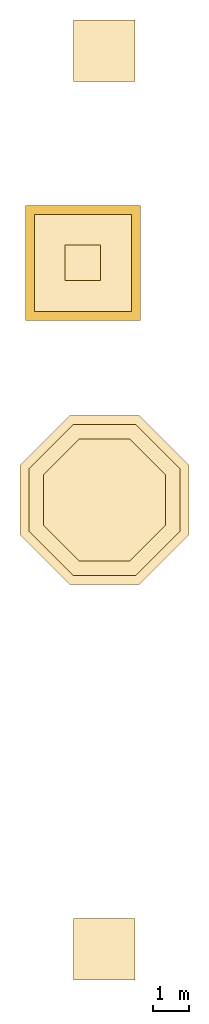
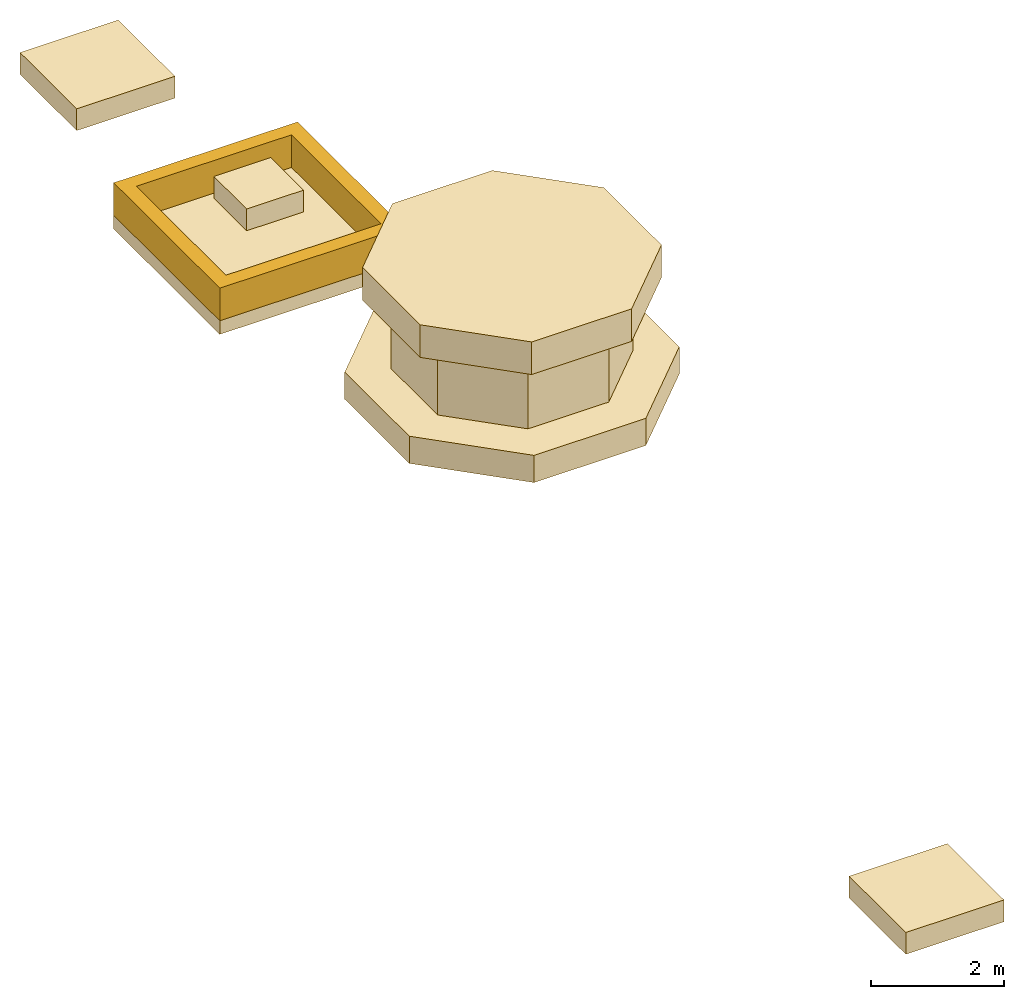
# One storey: 8 coverings.
"""IFC4 building model written with IfcOpenShell, lengths in metres."""

from ifc_helpers import new_model, si_unit, direction, frame, origin, place, context, subcontext, project, spatial, polyline, outline, extrude, material, layer, layer_set, type_object, element, save


model = new_model("IFC4")

# Units and contexts
model_context = context("Model", 3, precision=1e-05, world=origin(), true_north=direction((0.0, 1.0)))
body_context = subcontext(model_context, "Body", "Model", "MODEL_VIEW")
ifc_project = project(units=[si_unit("LENGTHUNIT", "METRE"), si_unit("AREAUNIT", "SQUARE_METRE"), si_unit("VOLUMEUNIT", "CUBIC_METRE"), si_unit("PLANEANGLEUNIT", "RADIAN"), si_unit("MASSUNIT", "GRAM", prefix="KILO")], contexts=[model_context])

# Site, building, storey
site_placement = place(None, origin())
site = spatial("IfcSite", under=ifc_project, at=site_placement, CompositionType="ELEMENT")
building_placement = place(site_placement, origin())
building = spatial("IfcBuilding", under=site, at=building_placement, Name="Kiln Ring Residences", CompositionType="ELEMENT")
storey_placement = place(building_placement, frame((0.0, 0.0, 329.5)))
storey = spatial("IfcBuildingStorey", under=building, at=storey_placement, Name="Roof", CompositionType="ELEMENT", Elevation=329.5)

# Coverings
ifc_material_1 = material(Name="Brick masonry, dark clay brick", Category="masonry")
ifc_layer_1 = layer(ifc_material_1, 0.25)
ifc_layer_set_1 = layer_set([ifc_layer_1], Name="CHHATRI PARAPET 250")
covering_type_1 = type_object("IfcCoveringType", Name="CHHATRI PARAPET 250", PredefinedType="CLADDING", material=ifc_layer_set_1)
covering_1_placement = place(storey_placement, frame((0.0, 0.0, 1.35009765625)))
element("IfcCovering", 1, at=covering_1_placement, inside=storey, type_object=covering_type_1, Name="CHHATRI PARAPET L83 Crown", PredefinedType="CLADDING", context=body_context, shape_type="SweptSolid", body=[
    extrude(outline(polyline([(-22.300048828125, 5.0), (-19.10009765625, 5.0), (-19.10009765625, 8.199951171875), (-22.300048828125, 8.199951171875), (-22.300048828125, 5.0)]), holes=[polyline([(-19.35009765625, 7.949951171875), (-19.35009765625, 5.25), (-22.050048828125, 5.25), (-22.050048828125, 7.949951171875), (-19.35009765625, 7.949951171875)])]), origin(), (0.0, 0.0, 1.0), 0.599853515625),
])
ifc_material_2 = material(Name="Concrete C35/45, exposed aggregate finish", Category="concrete")
ifc_layer_2 = layer(ifc_material_2, 0.25)
ifc_layer_set_2 = layer_set([ifc_layer_2], Name="CHHATRI ROOF 250")
covering_type_2 = type_object("IfcCoveringType", Name="CHHATRI ROOF 250", PredefinedType="ROOFING", material=ifc_layer_set_2)
placement = place(storey_placement, frame((0.0, 0.0, 0.35009765625)))
element("IfcCovering", 2, at=placement, inside=storey, type_object=covering_type_2, Name="CHHATRI CAP L83 Crown", PredefinedType="ROOFING", context=body_context, shape_type="SweptSolid", body=[
    extrude(outline(polyline([(-19.2451171875, 11.64501953125), (-19.2451171875, 13.35498046875), (-20.955078125, 13.35498046875), (-20.955078125, 11.64501953125), (-19.2451171875, 11.64501953125)])), origin(), (0.0, 0.0, 1.0), 0.39990234375),
])
element("IfcCovering", 3, at=placement, inside=storey, type_object=covering_type_2, Name="CHHATRI CAP L83 Crown", PredefinedType="ROOFING", context=body_context, shape_type="SweptSolid", body=[
    extrude(outline(polyline([(-19.2451171875, -13.35498046875), (-19.2451171875, -11.64501953125), (-20.955078125, -11.64501953125), (-20.955078125, -13.35498046875), (-19.2451171875, -13.35498046875)])), origin(), (0.0, 0.0, 1.0), 0.39990234375),
])
covering_4_placement = place(storey_placement, frame((0.0, 0.0, 1.10009765625)))
element("IfcCovering", 4, at=covering_4_placement, inside=storey, type_object=covering_type_2, Name="CHHATRI ROOF L83 Crown", PredefinedType="ROOFING", context=body_context, shape_type="SweptSolid", body=[
    extrude(outline(polyline([(-19.10009765625, 5.0), (-19.10009765625, 8.199951171875), (-22.300048828125, 8.199951171875), (-22.300048828125, 5.0), (-19.10009765625, 5.0)])), origin(), (0.0, 0.0, 1.0), 0.25),
])
covering_5_placement = place(storey_placement, frame((0.0, 0.0, 1.949951171875)))
element("IfcCovering", 5, at=covering_5_placement, inside=storey, type_object=covering_type_2, Name="CHHATRI CAP L83 Crown", PredefinedType="ROOFING", context=body_context, shape_type="SweptSolid", body=[
    extrude(outline(polyline([(-20.205078125, 6.10498046875), (-20.205078125, 7.094970703125), (-21.195068359375, 7.094970703125), (-21.195068359375, 6.10498046875), (-20.205078125, 6.10498046875)])), origin(), (0.0, 0.0, 1.0), 0.400146484375),
])
ifc_material_3 = material(Name="Brick masonry, dark clay brick", Category="masonry")
ifc_layer_3 = layer(ifc_material_3, 1.0)
ifc_layer_set_3 = layer_set([ifc_layer_3], Name="KILN STACK BRICK")
covering_type_3 = type_object("IfcCoveringType", Name="KILN STACK BRICK", PredefinedType="CLADDING", material=ifc_layer_set_3)
covering_6_placement = place(storey_placement, frame((0.0, 0.0, 2.39990234375)))
element("IfcCovering", 6, at=covering_6_placement, inside=storey, type_object=covering_type_3, Name="KILN STACK west peak", PredefinedType="CLADDING", context=body_context, shape_type="SweptSolid", body=[
    extrude(outline(polyline([(-17.75, 0.973388671875), (-19.126708984375, 2.35009765625), (-21.073486328125, 2.35009765625), (-22.449951171875, 0.973388671875), (-22.449951171875, -0.973388671875), (-21.073486328125, -2.35009765625), (-19.126708984375, -2.35009765625), (-17.75, -0.973388671875), (-17.75, 0.973388671875)])), origin(), (0.0, 0.0, 1.0), 0.5),
])
covering_7_placement = place(storey_placement, frame((0.0, 0.0, 2.89990234375)))
element("IfcCovering", 7, at=covering_7_placement, inside=storey, type_object=covering_type_3, Name="KILN STACK west peak", PredefinedType="CLADDING", context=body_context, shape_type="SweptSolid", body=[
    extrude(outline(polyline([(-18.39990234375, 0.7041015625), (-19.395751953125, 1.699951171875), (-20.80419921875, 1.699951171875), (-21.800048828125, 0.7041015625), (-21.800048828125, -0.7041015625), (-20.80419921875, -1.699951171875), (-19.395751953125, -1.699951171875), (-18.39990234375, -0.7041015625), (-18.39990234375, 0.7041015625)])), origin(), (0.0, 0.0, 1.0), 1.300048828125),
])
covering_8_placement = place(storey_placement, frame((0.0, 0.0, 4.199951171875)))
element("IfcCovering", 8, at=covering_8_placement, inside=storey, type_object=covering_type_3, Name="KILN STACK west peak", PredefinedType="CLADDING", context=body_context, shape_type="SweptSolid", body=[
    extrude(outline(polyline([(-18.0, 0.869873046875), (-19.230224609375, 2.10009765625), (-20.9697265625, 2.10009765625), (-22.199951171875, 0.869873046875), (-22.199951171875, -0.869873046875), (-20.9697265625, -2.10009765625), (-19.230224609375, -2.10009765625), (-18.0, -0.869873046875), (-18.0, 0.869873046875)])), origin(), (0.0, 0.0, 1.0), 0.60009765625),
])

save(model, "model.ifc")
